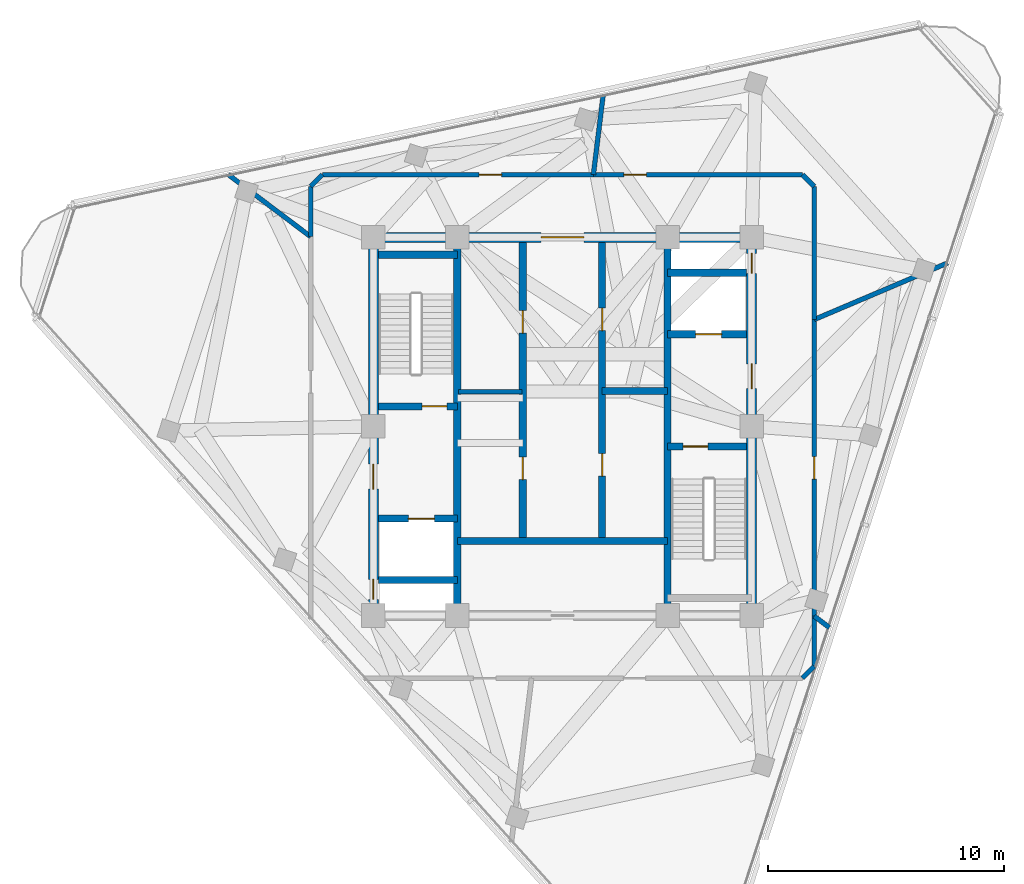
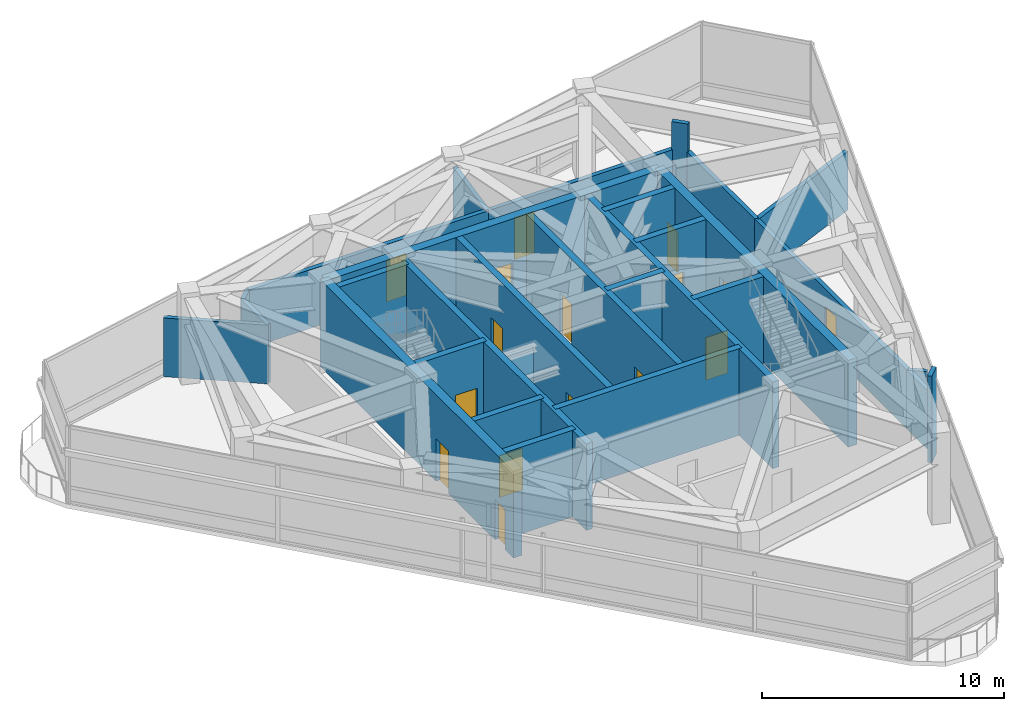
# One storey, part 7 of 10: 30 walls, 16 doors, 16 openings.
"""IFC4 building model written with IfcOpenShell, lengths in metres."""

from ifc_helpers import new_model, si_unit, direction, frame, frame_2d, origin, place, context, subcontext, project, spatial, rectangle, extrude, material, layer, layer_set, type_object, element, fill, save


model = new_model("IFC4")

# Units and contexts
model_context = context("Model", 3, precision=1e-05, world=origin(), true_north=direction((0.0, 1.0)))
body_context = subcontext(model_context, "Body", "Model", "MODEL_VIEW")
ifc_project = project(units=[si_unit("LENGTHUNIT", "METRE"), si_unit("AREAUNIT", "SQUARE_METRE"), si_unit("VOLUMEUNIT", "CUBIC_METRE"), si_unit("PLANEANGLEUNIT", "RADIAN"), si_unit("MASSUNIT", "GRAM", prefix="KILO")], contexts=[model_context])

# Site, building, storey
site_placement = place(None, origin())
site = spatial("IfcSite", under=ifc_project, at=site_placement, CompositionType="ELEMENT")
building_placement = place(site_placement, origin())
building = spatial("IfcBuilding", under=site, at=building_placement, Name="Terralouvre Media Tower", CompositionType="ELEMENT")
storey_placement = place(building_placement, frame((0.0, 0.0, 317.39990234375)))
storey = spatial("IfcBuildingStorey", under=building, at=storey_placement, Name="L82", CompositionType="ELEMENT", Elevation=317.39990234375)

# Walls
ifc_material_1 = material(Name="Concrete C50/60", Category="concrete")
ifc_layer_1 = layer(ifc_material_1, 0.300048828125, Name="Core Internal Shaft Wall CW-300")
ifc_layer_set_1 = layer_set([ifc_layer_1], Name="Concrete C50/60")
wall_type_1 = type_object("IfcWallType", Name="Core Internal Shaft Wall CW-300", PredefinedType="SHEAR", material=ifc_layer_set_1)
for number, where, z_axis, x_axis, name in (
    (1, (-4.449951171875, -7.7900390625, 0.0), (0.0, 0.0, 1.0), (0.0, 1.0, 0.0), "L82 Core Shaft Wall SPW"),
    (2, (4.449951171875, -7.7900390625, 0.0), (0.0, 0.0, 1.0), (0.0, 1.0, 0.0), "L82 Core Shaft Wall SPE"),
):
    element("IfcWall", number, at=place(storey_placement, frame(where, z_axis=z_axis, x_axis=x_axis)), inside=storey, type_object=wall_type_1, Name=name, PredefinedType="SHEAR", context=body_context, shape_type="SweptSolid", body=[
        extrude(rectangle(XDim=15.580078125, YDim=0.300048828125, at=frame_2d((7.7900390625, 0.0))), origin(), (0.0, 0.0, 1.0), 4.380126953125),
    ])

# Wall, opening, door
wall_1_placement = place(storey_placement, frame((-7.7900390625, 0.85009765625, 0.0), z_axis=(0.0, 0.0, 1.0), x_axis=(1.0, 0.0, 0.0)))
wall_1 = element("IfcWall", 3, at=wall_1_placement, inside=storey, type_object=wall_type_1, Name="L82 Core Shaft Wall ST1D", PredefinedType="SHEAR", context=body_context, shape_type="SweptSolid", body=[
    extrude(rectangle(XDim=3.340087890625, YDim=0.300048828125, at=frame_2d((1.669921875, 0.0))), origin(), (0.0, 0.0, 1.0), 4.380126953125),
])
opening_1_placement = place(wall_1_placement, frame((1.85009765625, 0.0, 0.0)))
opening_1 = element("IfcOpeningElement", 4, at=opening_1_placement, cuts=wall_1, Name="Opening FD-01-105X215", PredefinedType="OPENING", context=body_context, shape_type="SweptSolid", body=[
    extrude(rectangle(XDim=1.050048828125, YDim=2.14990234375, at=frame_2d((0.52490234375, 1.074951171875))), frame((0.0, 0.159912109375, 0.0), z_axis=(0.0, -1.0, 0.0), x_axis=(1.0, 0.0, 0.0)), (0.0, 0.0, 1.0), 0.320068359375),
])
ifc_material_2 = material(Name="Galvanised steel fire-resisting leaf", Category="steel")
door_type_1 = type_object("IfcDoorType", Name="Stair and Firefighting Lobby Fire Door FD-01 (1050x2150)", OperationType="NOTDEFINED", PredefinedType="DOOR", material=ifc_material_2)
door_1_placement = place(opening_1_placement, origin())
door_1 = element("IfcDoor", 5, at=door_1_placement, inside=storey, type_object=door_type_1, Name="L82 ST-01 Exit Stair Door", OperationType="SINGLE_SWING_LEFT", OverallHeight=2.14990234375, OverallWidth=1.050048828125, PredefinedType="DOOR", context=body_context, shape_type="SweptSolid", body=[
    extrude(rectangle(XDim=1.050048828125, YDim=2.14990234375, at=frame_2d((0.52490234375, 1.074951171875))), frame((0.0, 0.02490234375, 0.0), z_axis=(0.0, -1.0, 0.0), x_axis=(1.0, 0.0, 0.0)), (0.0, 0.0, 1.0), 0.050048828125),
])
fill(opening_1, door_1)

# Wall
wall_2_placement = place(storey_placement, frame((-7.7900390625, 7.260009765625, 0.0), z_axis=(0.0, 0.0, 1.0), x_axis=(1.0, 0.0, 0.0)))
element("IfcWall", 6, at=wall_2_placement, inside=storey, type_object=wall_type_1, Name="L82 Core Shaft Wall ST1F", PredefinedType="SHEAR", context=body_context, shape_type="SweptSolid", body=[
    extrude(rectangle(XDim=3.340087890625, YDim=0.300048828125, at=frame_2d((1.669921875, 0.0))), origin(), (0.0, 0.0, 1.0), 4.380126953125),
])

# Wall, opening, door
wall_3_placement = place(storey_placement, frame((4.449951171875, -0.85009765625, 0.0), z_axis=(0.0, 0.0, 1.0), x_axis=(1.0, 0.0, 0.0)))
wall_3 = element("IfcWall", 7, at=wall_3_placement, inside=storey, type_object=wall_type_1, Name="L82 Core Shaft Wall ST2D", PredefinedType="SHEAR", context=body_context, shape_type="SweptSolid", body=[
    extrude(rectangle(XDim=3.340087890625, YDim=0.300048828125, at=frame_2d((1.669921875, 0.0))), origin(), (0.0, 0.0, 1.0), 4.380126953125),
])
opening_2_placement = place(wall_3_placement, frame((0.64990234375, 0.0, 0.0)))
opening_2 = element("IfcOpeningElement", 8, at=opening_2_placement, cuts=wall_3, Name="Opening FD-01-105X215", PredefinedType="OPENING", context=body_context, shape_type="SweptSolid", body=[
    extrude(rectangle(XDim=1.050048828125, YDim=2.14990234375, at=frame_2d((0.52490234375, 1.074951171875))), frame((0.0, 0.159912109375, 0.0), z_axis=(0.0, -1.0, 0.0), x_axis=(1.0, 0.0, 0.0)), (0.0, 0.0, 1.0), 0.320068359375),
])
door_2_placement = place(opening_2_placement, origin())
door_2 = element("IfcDoor", 9, at=door_2_placement, inside=storey, type_object=door_type_1, Name="L82 ST-02 Exit Stair Door", OperationType="SINGLE_SWING_RIGHT", OverallHeight=2.14990234375, OverallWidth=1.050048828125, PredefinedType="DOOR", context=body_context, shape_type="SweptSolid", body=[
    extrude(rectangle(XDim=1.050048828125, YDim=2.14990234375, at=frame_2d((0.52490234375, 1.074951171875))), frame((0.0, 0.02490234375, 0.0), z_axis=(0.0, -1.0, 0.0), x_axis=(1.0, 0.0, 0.0)), (0.0, 0.0, 1.0), 0.050048828125),
])
fill(opening_2, door_2)

wall_4_placement = place(storey_placement, frame((-7.7900390625, -3.89990234375, 0.0), z_axis=(0.0, 0.0, 1.0), x_axis=(1.0, 0.0, 0.0)))
wall_4 = element("IfcWall", 10, at=wall_4_placement, inside=storey, type_object=wall_type_1, Name="L82 Core Shaft Wall FF1N", PredefinedType="SHEAR", context=body_context, shape_type="SweptSolid", body=[
    extrude(rectangle(XDim=3.340087890625, YDim=0.300048828125, at=frame_2d((1.669921875, 0.0))), origin(), (0.0, 0.0, 1.0), 4.380126953125),
])
opening_3_placement = place(wall_4_placement, frame((1.27001953125, 0.0, 0.0)))
opening_3 = element("IfcOpeningElement", 11, at=opening_3_placement, cuts=wall_4, Name="Opening LD-FF", PredefinedType="OPENING", context=body_context, shape_type="SweptSolid", body=[
    extrude(rectangle(XDim=1.10009765625, YDim=2.10009765625, at=frame_2d((0.550048828125, 1.050048828125))), frame((0.0, 0.159912109375, 0.0), z_axis=(0.0, -1.0, 0.0), x_axis=(1.0, 0.0, 0.0)), (0.0, 0.0, 1.0), 0.320068359375),
])
ifc_material_3 = material(Name="Stainless steel 316 handrail and balustrade", Category="steel")
door_type_2 = type_object("IfcDoorType", Name="Firefighting Lift Sliding Landing Door LD-FF", OperationType="SLIDING_TO_LEFT", PredefinedType="DOOR", material=ifc_material_3)
door_3_placement = place(opening_3_placement, origin())
door_3 = element("IfcDoor", 12, at=door_3_placement, inside=storey, type_object=door_type_2, Name="L82 Firefighting Lift FFL-01 Landing Door", OperationType="SLIDING_TO_LEFT", OverallHeight=2.10009765625, OverallWidth=1.10009765625, PredefinedType="DOOR", context=body_context, shape_type="SweptSolid", body=[
    extrude(rectangle(XDim=1.10009765625, YDim=2.10009765625, at=frame_2d((0.550048828125, 1.050048828125))), frame((0.0, 0.02490234375, 0.0), z_axis=(0.0, -1.0, 0.0), x_axis=(1.0, 0.0, 0.0)), (0.0, 0.0, 1.0), 0.050048828125),
])
fill(opening_3, door_3)

# Wall
wall_5_placement = place(storey_placement, frame((-7.7900390625, -6.5, 0.0), z_axis=(0.0, 0.0, 1.0), x_axis=(1.0, 0.0, 0.0)))
element("IfcWall", 13, at=wall_5_placement, inside=storey, type_object=wall_type_1, Name="L82 Core Shaft Wall FF1S", PredefinedType="SHEAR", context=body_context, shape_type="SweptSolid", body=[
    extrude(rectangle(XDim=3.340087890625, YDim=0.300048828125, at=frame_2d((1.669921875, 0.0))), origin(), (0.0, 0.0, 1.0), 4.380126953125),
])

# Wall, opening, door
wall_6_placement = place(storey_placement, frame((4.449951171875, 3.89990234375, 0.0), z_axis=(0.0, 0.0, 1.0), x_axis=(1.0, 0.0, 0.0)))
wall_6 = element("IfcWall", 14, at=wall_6_placement, inside=storey, type_object=wall_type_1, Name="L82 Core Shaft Wall FF2S", PredefinedType="SHEAR", context=body_context, shape_type="SweptSolid", body=[
    extrude(rectangle(XDim=3.340087890625, YDim=0.300048828125, at=frame_2d((1.669921875, 0.0))), origin(), (0.0, 0.0, 1.0), 4.380126953125),
])
opening_4_placement = place(wall_6_placement, frame((1.179931640625, 0.0, 0.0)))
opening_4 = element("IfcOpeningElement", 15, at=opening_4_placement, cuts=wall_6, Name="Opening LD-FF", PredefinedType="OPENING", context=body_context, shape_type="SweptSolid", body=[
    extrude(rectangle(XDim=1.10009765625, YDim=2.10009765625, at=frame_2d((0.550048828125, 1.050048828125))), frame((0.0, 0.159912109375, 0.0), z_axis=(0.0, -1.0, 0.0), x_axis=(1.0, 0.0, 0.0)), (0.0, 0.0, 1.0), 0.320068359375),
])
door_4_placement = place(opening_4_placement, origin())
door_4 = element("IfcDoor", 16, at=door_4_placement, inside=storey, type_object=door_type_2, Name="L82 Firefighting Lift FFL-02 Landing Door", OperationType="SLIDING_TO_LEFT", OverallHeight=2.10009765625, OverallWidth=1.10009765625, PredefinedType="DOOR", context=body_context, shape_type="SweptSolid", body=[
    extrude(rectangle(XDim=1.10009765625, YDim=2.10009765625, at=frame_2d((0.550048828125, 1.050048828125))), frame((0.0, 0.02490234375, 0.0), z_axis=(0.0, -1.0, 0.0), x_axis=(1.0, 0.0, 0.0)), (0.0, 0.0, 1.0), 0.050048828125),
])
fill(opening_4, door_4)

# Walls
wall_7_placement = place(storey_placement, frame((4.449951171875, 6.5, 0.0), z_axis=(0.0, 0.0, 1.0), x_axis=(1.0, 0.0, 0.0)))
element("IfcWall", 17, at=wall_7_placement, inside=storey, type_object=wall_type_1, Name="L82 Core Shaft Wall FF2N", PredefinedType="SHEAR", context=body_context, shape_type="SweptSolid", body=[
    extrude(rectangle(XDim=3.340087890625, YDim=0.300048828125, at=frame_2d((1.669921875, 0.0))), origin(), (0.0, 0.0, 1.0), 4.380126953125),
])
wall_8_placement = place(storey_placement, frame((-4.449951171875, -4.85009765625, 0.0), z_axis=(0.0, 0.0, 1.0), x_axis=(1.0, 0.0, 0.0)))
element("IfcWall", 18, at=wall_8_placement, inside=storey, type_object=wall_type_1, Name="L82 Core Shaft Wall CSBN", PredefinedType="SHEAR", context=body_context, shape_type="SweptSolid", body=[
    extrude(rectangle(XDim=8.89990234375, YDim=0.300048828125, at=frame_2d((4.449951171875, 0.0))), origin(), (0.0, 0.0, 1.0), 4.380126953125),
])

# Wall, openings, doors
wall_9_placement = place(storey_placement, frame((-1.679931640625, -4.85009765625, 0.0), z_axis=(0.0, 0.0, 1.0), x_axis=(0.0, 1.0, 0.0)))
wall_9 = element("IfcWall", 19, at=wall_9_placement, inside=storey, type_object=wall_type_1, Name="L82 Core Shaft Wall LBW", PredefinedType="SHEAR", context=body_context, shape_type="SweptSolid", body=[
    extrude(rectangle(XDim=12.64013671875, YDim=0.300048828125, at=frame_2d((6.320068359375, 0.0))), origin(), (0.0, 0.0, 1.0), 4.380126953125),
])
opening_5_placement = place(wall_9_placement, frame((2.60009765625, 0.0, 0.0)))
opening_5 = element("IfcOpeningElement", 20, at=opening_5_placement, cuts=wall_9, Name="Opening FD-02-95X210", PredefinedType="OPENING", context=body_context, shape_type="SweptSolid", body=[
    extrude(rectangle(XDim=0.949951171875, YDim=2.10009765625, at=frame_2d((0.47509765625, 1.050048828125))), frame((0.0, 0.159912109375, 0.0), z_axis=(0.0, -1.0, 0.0), x_axis=(1.0, 0.0, 0.0)), (0.0, 0.0, 1.0), 0.320068359375),
])
opening_6_placement = place(wall_9_placement, frame((8.800048828125, 0.0, 0.0)))
opening_6 = element("IfcOpeningElement", 21, at=opening_6_placement, cuts=wall_9, Name="Opening FD-04-95X210", PredefinedType="OPENING", context=body_context, shape_type="SweptSolid", body=[
    extrude(rectangle(XDim=0.949951171875, YDim=2.10009765625, at=frame_2d((0.47509765625, 1.050048828125))), frame((0.0, 0.159912109375, 0.0), z_axis=(0.0, -1.0, 0.0), x_axis=(1.0, 0.0, 0.0)), (0.0, 0.0, 1.0), 0.320068359375),
])
ifc_material_4 = material(Name="Galvanised steel fire-resisting leaf", Category="steel")
door_type_3 = type_object("IfcDoorType", Name="Core Store and Service Fire Door FD-04 (950x2100)", OperationType="NOTDEFINED", PredefinedType="DOOR", material=ifc_material_4)
door_5_placement = place(opening_6_placement, origin())
door_5 = element("IfcDoor", 22, at=door_5_placement, inside=storey, type_object=door_type_3, Name="L82 Core Linen Store Door", OperationType="SINGLE_SWING_RIGHT", OverallHeight=2.10009765625, OverallWidth=0.949951171875, PredefinedType="DOOR", context=body_context, shape_type="SweptSolid", body=[
    extrude(rectangle(XDim=0.949951171875, YDim=2.10009765625, at=frame_2d((0.47509765625, 1.050048828125))), frame((0.0, 0.02490234375, 0.0), z_axis=(0.0, -1.0, 0.0), x_axis=(1.0, 0.0, 0.0)), (0.0, 0.0, 1.0), 0.050048828125),
])
fill(opening_6, door_5)
ifc_material_5 = material(Name="Galvanised steel fire-resisting leaf", Category="steel")
door_type_4 = type_object("IfcDoorType", Name="Plant and Riser Fire Door FD-02 (950x2100)", OperationType="NOTDEFINED", PredefinedType="DOOR", material=ifc_material_5)
door_6_placement = place(opening_5_placement, origin())
door_6 = element("IfcDoor", 23, at=door_6_placement, inside=storey, type_object=door_type_4, Name="L82 Core Fibre Patch Plant Door", OperationType="SINGLE_SWING_LEFT", OverallHeight=2.10009765625, OverallWidth=0.949951171875, PredefinedType="DOOR", context=body_context, shape_type="SweptSolid", body=[
    extrude(rectangle(XDim=0.949951171875, YDim=2.10009765625, at=frame_2d((0.47509765625, 1.050048828125))), frame((0.0, 0.02490234375, 0.0), z_axis=(0.0, -1.0, 0.0), x_axis=(1.0, 0.0, 0.0)), (0.0, 0.0, 1.0), 0.050048828125),
])
fill(opening_5, door_6)

wall_10_placement = place(storey_placement, frame((1.679931640625, -4.85009765625, 0.0), z_axis=(0.0, 0.0, 1.0), x_axis=(0.0, 1.0, 0.0)))
wall_10 = element("IfcWall", 24, at=wall_10_placement, inside=storey, type_object=wall_type_1, Name="L82 Core Shaft Wall LBE", PredefinedType="SHEAR", context=body_context, shape_type="SweptSolid", body=[
    extrude(rectangle(XDim=12.64013671875, YDim=0.300048828125, at=frame_2d((6.320068359375, 0.0))), origin(), (0.0, 0.0, 1.0), 4.380126953125),
])
opening_7_placement = place(wall_10_placement, frame((2.75, 0.0, 0.0)))
opening_7 = element("IfcOpeningElement", 25, at=opening_7_placement, cuts=wall_10, Name="Opening FD-02-95X210", PredefinedType="OPENING", context=body_context, shape_type="SweptSolid", body=[
    extrude(rectangle(XDim=0.949951171875, YDim=2.10009765625, at=frame_2d((0.47509765625, 1.050048828125))), frame((0.0, 0.159912109375, 0.0), z_axis=(0.0, -1.0, 0.0), x_axis=(1.0, 0.0, 0.0)), (0.0, 0.0, 1.0), 0.320068359375),
])
opening_8_placement = place(wall_10_placement, frame((8.89990234375, 0.0, 0.0)))
opening_8 = element("IfcOpeningElement", 26, at=opening_8_placement, cuts=wall_10, Name="Opening FD-02-95X210", PredefinedType="OPENING", context=body_context, shape_type="SweptSolid", body=[
    extrude(rectangle(XDim=0.949951171875, YDim=2.10009765625, at=frame_2d((0.47509765625, 1.050048828125))), frame((0.0, 0.159912109375, 0.0), z_axis=(0.0, -1.0, 0.0), x_axis=(1.0, 0.0, 0.0)), (0.0, 0.0, 1.0), 0.320068359375),
])
door_7_placement = place(opening_7_placement, origin())
door_7 = element("IfcDoor", 27, at=door_7_placement, inside=storey, type_object=door_type_4, Name="L82 High-Zone Hoistway Motor Plant Door", OperationType="SINGLE_SWING_LEFT", OverallHeight=2.10009765625, OverallWidth=0.949951171875, PredefinedType="DOOR", context=body_context, shape_type="SweptSolid", body=[
    extrude(rectangle(XDim=0.949951171875, YDim=2.10009765625, at=frame_2d((0.47509765625, 1.050048828125))), frame((0.0, 0.02490234375, 0.0), z_axis=(0.0, -1.0, 0.0), x_axis=(1.0, 0.0, 0.0)), (0.0, 0.0, 1.0), 0.050048828125),
])
fill(opening_7, door_7)
door_8_placement = place(opening_8_placement, origin())
door_8 = element("IfcDoor", 28, at=door_8_placement, inside=storey, type_object=door_type_4, Name="L82 Core AHU Sub-Plant Door", OperationType="SINGLE_SWING_LEFT", OverallHeight=2.10009765625, OverallWidth=0.949951171875, PredefinedType="DOOR", context=body_context, shape_type="SweptSolid", body=[
    extrude(rectangle(XDim=0.949951171875, YDim=2.10009765625, at=frame_2d((0.47509765625, 1.050048828125))), frame((0.0, 0.02490234375, 0.0), z_axis=(0.0, -1.0, 0.0), x_axis=(1.0, 0.0, 0.0)), (0.0, 0.0, 1.0), 0.050048828125),
])
fill(opening_8, door_8)

# Wall
wall_11_placement = place(storey_placement, frame((1.679931640625, 1.5, 0.0), z_axis=(0.0, 0.0, 1.0), x_axis=(1.0, 0.0, 0.0)))
element("IfcWall", 29, at=wall_11_placement, inside=storey, type_object=wall_type_1, Name="L82 Core Shaft Wall PLMBOT", PredefinedType="SHEAR", context=body_context, shape_type="SweptSolid", body=[
    extrude(rectangle(XDim=2.77001953125, YDim=0.300048828125, at=frame_2d((1.385009765625, 0.0))), origin(), (0.0, 0.0, 1.0), 4.380126953125),
])

# Wall, openings, doors
ifc_material_6 = material(Name="Concrete C60/75", Category="concrete")
ifc_layer_2 = layer(ifc_material_6, 0.419921875, Name="Core Reinforced Concrete Shear Wall CW-420")
ifc_layer_set_2 = layer_set([ifc_layer_2], Name="Concrete C60/75")
wall_type_2 = type_object("IfcWallType", Name="Core Reinforced Concrete Shear Wall CW-420", PredefinedType="SHEAR", material=ifc_layer_set_2)
wall_12_placement = place(storey_placement, frame((-8.0, -8.0, 0.0), z_axis=(0.0, 0.0, 1.0), x_axis=(0.0, 1.0, 0.0)))
wall_12 = element("IfcWall", 30, at=wall_12_placement, inside=storey, type_object=wall_type_2, Name="L82 W Core Shear Wall", PredefinedType="SHEAR", context=body_context, shape_type="SweptSolid", body=[
    extrude(rectangle(XDim=16.0, YDim=0.419921875, at=frame_2d((8.0, 0.0))), origin(), (0.0, 0.0, 1.0), 4.380126953125),
])
opening_9_placement = place(wall_12_placement, frame((0.68115234375, 0.0, 0.0)))
opening_9 = element("IfcOpeningElement", 31, at=opening_9_placement, cuts=wall_12, Name="Opening TD-R1", PredefinedType="OPENING", context=body_context, shape_type="SweptSolid", body=[
    extrude(rectangle(XDim=0.85009765625, YDim=2.02001953125, at=frame_2d((0.425048828125, 1.010009765625))), frame((0.0, 0.219970703125, 0.0), z_axis=(0.0, -1.0, 0.0), x_axis=(1.0, 0.0, 0.0)), (0.0, 0.0, 1.0), 0.43994140625),
])
opening_10_placement = place(wall_12_placement, frame((5.35009765625, 0.0, 0.0)))
opening_10 = element("IfcOpeningElement", 32, at=opening_10_placement, cuts=wall_12, Name="Opening FD-01-105X215", PredefinedType="OPENING", context=body_context, shape_type="SweptSolid", body=[
    extrude(rectangle(XDim=1.050048828125, YDim=2.14990234375, at=frame_2d((0.52490234375, 1.074951171875))), frame((0.0, 0.219970703125, 0.0), z_axis=(0.0, -1.0, 0.0), x_axis=(1.0, 0.0, 0.0)), (0.0, 0.0, 1.0), 0.43994140625),
])
ifc_material_7 = material(Name="Galvanised steel fire-resisting leaf", Category="steel")
door_type_5 = type_object("IfcDoorType", Name="Riser Inspection Access Trapdoor TD-R1", OperationType="NOTDEFINED", PredefinedType="TRAPDOOR", material=ifc_material_7)
door_9_placement = place(opening_9_placement, origin())
door_9 = element("IfcDoor", 33, at=door_9_placement, inside=storey, type_object=door_type_5, Name="L82 Wet Riser Access Trapdoor", OperationType="SINGLE_SWING_LEFT", OverallHeight=2.02001953125, OverallWidth=0.85009765625, PredefinedType="TRAPDOOR", context=body_context, shape_type="SweptSolid", body=[
    extrude(rectangle(XDim=0.85009765625, YDim=2.02001953125, at=frame_2d((0.425048828125, 1.010009765625))), frame((0.0, 0.02490234375, 0.0), z_axis=(0.0, -1.0, 0.0), x_axis=(1.0, 0.0, 0.0)), (0.0, 0.0, 1.0), 0.050048828125),
])
fill(opening_9, door_9)
door_10_placement = place(opening_10_placement, origin())
door_10 = element("IfcDoor", 34, at=door_10_placement, inside=storey, type_object=door_type_1, Name="L82 West Firefighting Lobby Entry Door", OperationType="SINGLE_SWING_RIGHT", OverallHeight=2.14990234375, OverallWidth=1.050048828125, PredefinedType="DOOR", context=body_context, shape_type="SweptSolid", body=[
    extrude(rectangle(XDim=1.050048828125, YDim=2.14990234375, at=frame_2d((0.52490234375, 1.074951171875))), frame((0.0, 0.02490234375, 0.0), z_axis=(0.0, -1.0, 0.0), x_axis=(1.0, 0.0, 0.0)), (0.0, 0.0, 1.0), 0.050048828125),
])
fill(opening_10, door_10)

wall_13_placement = place(storey_placement, frame((8.0, -8.0, 0.0), z_axis=(0.0, 0.0, 1.0), x_axis=(0.0, 1.0, 0.0)))
wall_13 = element("IfcWall", 35, at=wall_13_placement, inside=storey, type_object=wall_type_2, Name="L82 E Core Shear Wall", PredefinedType="SHEAR", context=body_context, shape_type="SweptSolid", body=[
    extrude(rectangle(XDim=16.0, YDim=0.419921875, at=frame_2d((8.0, 0.0))), origin(), (0.0, 0.0, 1.0), 4.380126953125),
])
opening_11_placement = place(wall_13_placement, frame((9.60009765625, 0.0, 0.0)))
opening_11 = element("IfcOpeningElement", 36, at=opening_11_placement, cuts=wall_13, Name="Opening FD-01-105X215", PredefinedType="OPENING", context=body_context, shape_type="SweptSolid", body=[
    extrude(rectangle(XDim=1.050048828125, YDim=2.14990234375, at=frame_2d((0.52490234375, 1.074951171875))), frame((0.0, 0.219970703125, 0.0), z_axis=(0.0, -1.0, 0.0), x_axis=(1.0, 0.0, 0.0)), (0.0, 0.0, 1.0), 0.43994140625),
])
opening_12_placement = place(wall_13_placement, frame((14.468994140625, 0.0, 0.0)))
opening_12 = element("IfcOpeningElement", 37, at=opening_12_placement, cuts=wall_13, Name="Opening TD-R1", PredefinedType="OPENING", context=body_context, shape_type="SweptSolid", body=[
    extrude(rectangle(XDim=0.85009765625, YDim=2.02001953125, at=frame_2d((0.425048828125, 1.010009765625))), frame((0.0, 0.219970703125, 0.0), z_axis=(0.0, -1.0, 0.0), x_axis=(1.0, 0.0, 0.0)), (0.0, 0.0, 1.0), 0.43994140625),
])
door_11_placement = place(opening_12_placement, origin())
door_11 = element("IfcDoor", 38, at=door_11_placement, inside=storey, type_object=door_type_5, Name="L82 East Comms Riser Access Trapdoor", OperationType="SINGLE_SWING_RIGHT", OverallHeight=2.02001953125, OverallWidth=0.85009765625, PredefinedType="TRAPDOOR", context=body_context, shape_type="SweptSolid", body=[
    extrude(rectangle(XDim=0.85009765625, YDim=2.02001953125, at=frame_2d((0.425048828125, 1.010009765625))), frame((0.0, 0.02490234375, 0.0), z_axis=(0.0, -1.0, 0.0), x_axis=(1.0, 0.0, 0.0)), (0.0, 0.0, 1.0), 0.050048828125),
])
fill(opening_12, door_11)
door_12_placement = place(opening_11_placement, origin())
door_12 = element("IfcDoor", 39, at=door_12_placement, inside=storey, type_object=door_type_1, Name="L82 East Firefighting Lobby Entry Door", OperationType="SINGLE_SWING_LEFT", OverallHeight=2.14990234375, OverallWidth=1.050048828125, PredefinedType="DOOR", context=body_context, shape_type="SweptSolid", body=[
    extrude(rectangle(XDim=1.050048828125, YDim=2.14990234375, at=frame_2d((0.52490234375, 1.074951171875))), frame((0.0, 0.02490234375, 0.0), z_axis=(0.0, -1.0, 0.0), x_axis=(1.0, 0.0, 0.0)), (0.0, 0.0, 1.0), 0.050048828125),
])
fill(opening_11, door_12)

# Wall, opening, door
wall_14_placement = place(storey_placement, frame((-8.0, 8.0, 0.0), z_axis=(0.0, 0.0, 1.0), x_axis=(1.0, 0.0, 0.0)))
wall_14 = element("IfcWall", 40, at=wall_14_placement, inside=storey, type_object=wall_type_2, Name="L82 N Core Shear Wall", PredefinedType="SHEAR", context=body_context, shape_type="SweptSolid", body=[
    extrude(rectangle(XDim=16.0, YDim=0.419921875, at=frame_2d((8.0, 0.0))), origin(), (0.0, 0.0, 1.0), 4.380126953125),
])
opening_13_placement = place(wall_14_placement, frame((7.10009765625, 0.0, 0.0)))
opening_13 = element("IfcOpeningElement", 41, at=opening_13_placement, cuts=wall_14, Name="Opening FD-03", PredefinedType="OPENING", context=body_context, shape_type="SweptSolid", body=[
    extrude(rectangle(XDim=1.800048828125, YDim=2.14990234375, at=frame_2d((0.89990234375, 1.074951171875))), frame((0.0, 0.219970703125, 0.0), z_axis=(0.0, -1.0, 0.0), x_axis=(1.0, 0.0, 0.0)), (0.0, 0.0, 1.0), 0.43994140625),
])
ifc_material_8 = material(Name="Galvanised steel fire-resisting leaf", Category="steel")
door_type_6 = type_object("IfcDoorType", Name="Corridor Smoke-Control Double Door FD-03", OperationType="DOUBLE_DOOR_SINGLE_SWING", PredefinedType="DOOR", material=ifc_material_8)
door_13_placement = place(opening_13_placement, origin())
door_13 = element("IfcDoor", 42, at=door_13_placement, inside=storey, type_object=door_type_6, Name="L82 Central Lift Lobby Portal Door", OperationType="DOUBLE_DOOR_SINGLE_SWING", OverallHeight=2.14990234375, OverallWidth=1.800048828125, PredefinedType="DOOR", context=body_context, shape_type="SweptSolid", body=[
    extrude(rectangle(XDim=1.800048828125, YDim=2.14990234375, at=frame_2d((0.89990234375, 1.074951171875))), frame((0.0, 0.02490234375, 0.0), z_axis=(0.0, -1.0, 0.0), x_axis=(1.0, 0.0, 0.0)), (0.0, 0.0, 1.0), 0.050048828125),
])
fill(opening_13, door_13)

# Walls
ifc_material_9 = material(Name="Fire-rated gypsum board drywall partition")
ifc_layer_3 = layer(ifc_material_9, 0.199951171875, Name="Fire-Rated Shaft and Lobby Partition FW-200")
ifc_layer_set_3 = layer_set([ifc_layer_3], Name="Fire-rated gypsum board drywall partition")
wall_type_3 = type_object("IfcWallType", Name="Fire-Rated Shaft and Lobby Partition FW-200", PredefinedType="SOLIDWALL", material=ifc_layer_set_3)
wall_15_placement = place(storey_placement, frame((-4.39990234375, 1.469970703125, 0.0), z_axis=(0.0, 0.0, 1.0), x_axis=(1.0, 0.0, 0.0)))
element("IfcWall", 43, at=wall_15_placement, inside=storey, type_object=wall_type_3, Name="L82 Core West Sub-Partition 1", PredefinedType="SOLIDWALL", context=body_context, shape_type="SweptSolid", body=[
    extrude(rectangle(XDim=2.679931640625, YDim=0.199951171875, at=frame_2d((1.33984375, 0.0))), origin(), (0.0, 0.0, 1.0), 2.68505859375),
])
wall_16_placement = place(storey_placement, frame((10.14990234375, -10.64990234375, 0.0), z_axis=(0.0, 0.0, 1.0), x_axis=(0.707106781187, 0.707106781187, 0.0)))
element("IfcWall", 44, at=wall_16_placement, inside=storey, type_object=wall_type_3, Name="L82 Interior Partition 003", PredefinedType="SOLIDWALL", context=body_context, shape_type="SweptSolid", body=[
    extrude(rectangle(XDim=0.70703125, YDim=0.199951171875, at=frame_2d((0.353515625, 0.0))), origin(), (0.0, 0.0, 1.0), 4.380126953125),
])
wall_17_placement = place(storey_placement, frame((10.64990234375, -10.14990234375, 0.0), z_axis=(0.0, 0.0, 1.0), x_axis=(0.0, 1.0, 0.0)))
element("IfcWall", 45, at=wall_17_placement, inside=storey, type_object=wall_type_3, Name="L82 Interior Partition 004", PredefinedType="SOLIDWALL", context=body_context, shape_type="SweptSolid", body=[
    extrude(rectangle(XDim=2.125, YDim=0.199951171875, at=frame_2d((1.0625, 0.0))), origin(), (0.0, 0.0, 1.0), 2.965087890625),
])

# Wall, opening, door
wall_18_placement = place(storey_placement, frame((10.64990234375, -8.02490234375, 0.0), z_axis=(0.0, 0.0, 1.0), x_axis=(0.0, 1.0, 0.0)))
wall_18 = element("IfcWall", 46, at=wall_18_placement, inside=storey, type_object=wall_type_3, Name="L82 Interior Partition 005", PredefinedType="SOLIDWALL", context=body_context, shape_type="SweptSolid", body=[
    extrude(rectangle(XDim=12.5458984375, YDim=0.199951171875, at=frame_2d((6.27294921875, 0.0))), origin(), (0.0, 0.0, 1.0), 2.965087890625),
])
opening_14_placement = place(wall_18_placement, frame((5.798095703125, 0.0, 0.0)))
opening_14 = element("IfcOpeningElement", 47, at=opening_14_placement, cuts=wall_18, Name="Opening FD-02-95X210", PredefinedType="OPENING", context=body_context, shape_type="SweptSolid", body=[
    extrude(rectangle(XDim=0.949951171875, YDim=2.10009765625, at=frame_2d((0.47509765625, 1.050048828125))), frame((0.0, 0.10986328125, 0.0), z_axis=(0.0, -1.0, 0.0), x_axis=(1.0, 0.0, 0.0)), (0.0, 0.0, 1.0), 0.219970703125),
])
door_14_placement = place(opening_14_placement, origin())
door_14 = element("IfcDoor", 48, at=door_14_placement, inside=storey, type_object=door_type_4, Name="L82 L82 Domestic Booster and Fire Pump Plant Room Door", OperationType="SINGLE_SWING_RIGHT", OverallHeight=2.10009765625, OverallWidth=0.949951171875, PredefinedType="DOOR", context=body_context, shape_type="SweptSolid", body=[
    extrude(rectangle(XDim=0.949951171875, YDim=2.10009765625, at=frame_2d((0.47509765625, 1.050048828125))), frame((0.0, 0.02490234375, 0.0), z_axis=(0.0, -1.0, 0.0), x_axis=(1.0, 0.0, 0.0)), (0.0, 0.0, 1.0), 0.050048828125),
])
fill(opening_14, door_14)

# Walls
wall_19_placement = place(storey_placement, frame((10.64990234375, 4.52099609375, 0.0), z_axis=(0.0, 0.0, 1.0), x_axis=(0.0, 1.0, 0.0)))
element("IfcWall", 49, at=wall_19_placement, inside=storey, type_object=wall_type_3, Name="L82 Interior Partition 006", PredefinedType="SOLIDWALL", context=body_context, shape_type="SweptSolid", body=[
    extrude(rectangle(XDim=5.62890625, YDim=0.199951171875, at=frame_2d((2.814453125, 0.0))), origin(), (0.0, 0.0, 1.0), 2.965087890625),
])
wall_20_placement = place(storey_placement, frame((10.64990234375, 10.14990234375, 0.0), z_axis=(0.0, 0.0, 1.0), x_axis=(-0.707106781187, 0.707106781187, 0.0)))
element("IfcWall", 50, at=wall_20_placement, inside=storey, type_object=wall_type_3, Name="L82 Interior Partition 007", PredefinedType="SOLIDWALL", context=body_context, shape_type="SweptSolid", body=[
    extrude(rectangle(XDim=0.70703125, YDim=0.199951171875, at=frame_2d((0.353515625, 0.0))), origin(), (0.0, 0.0, 1.0), 4.380126953125),
])

# Wall, opening, door
wall_21_placement = place(storey_placement, frame((10.14990234375, 10.64990234375, 0.0), z_axis=(0.0, 0.0, 1.0), x_axis=(-1.0, 0.0, 0.0)))
wall_21 = element("IfcWall", 51, at=wall_21_placement, inside=storey, type_object=wall_type_3, Name="L82 Interior Partition 008", PredefinedType="SOLIDWALL", context=body_context, shape_type="SweptSolid", body=[
    extrude(rectangle(XDim=8.841796875, YDim=0.199951171875, at=frame_2d((4.4208984375, 0.0))), origin(), (0.0, 0.0, 1.0), 2.965087890625),
])
opening_15_placement = place(wall_21_placement, frame((6.5986328125, 0.0, 0.0)))
opening_15 = element("IfcOpeningElement", 52, at=opening_15_placement, cuts=wall_21, Name="Opening FD-02-95X210", PredefinedType="OPENING", context=body_context, shape_type="SweptSolid", body=[
    extrude(rectangle(XDim=0.949951171875, YDim=2.10009765625, at=frame_2d((0.47509765625, 1.050048828125))), frame((0.0, 0.10986328125, 0.0), z_axis=(0.0, -1.0, 0.0), x_axis=(1.0, 0.0, 0.0)), (0.0, 0.0, 1.0), 0.219970703125),
])
door_15_placement = place(opening_15_placement, origin())
door_15 = element("IfcDoor", 53, at=door_15_placement, inside=storey, type_object=door_type_4, Name="L82 L82 Emergency Standby Switchgear Plant Room Door", OperationType="SINGLE_SWING_LEFT", OverallHeight=2.10009765625, OverallWidth=0.949951171875, PredefinedType="DOOR", context=body_context, shape_type="SweptSolid", body=[
    extrude(rectangle(XDim=0.949951171875, YDim=2.10009765625, at=frame_2d((0.47509765625, 1.050048828125))), frame((0.0, 0.02490234375, 0.0), z_axis=(0.0, -1.0, 0.0), x_axis=(1.0, 0.0, 0.0)), (0.0, 0.0, 1.0), 0.050048828125),
])
fill(opening_15, door_15)

wall_22_placement = place(storey_placement, frame((1.30810546875, 10.64990234375, 0.0), z_axis=(0.0, 0.0, 1.0), x_axis=(-1.0, 0.0, 0.0)))
wall_22 = element("IfcWall", 54, at=wall_22_placement, inside=storey, type_object=wall_type_3, Name="L82 Interior Partition 009", PredefinedType="SOLIDWALL", context=body_context, shape_type="SweptSolid", body=[
    extrude(rectangle(XDim=11.4580078125, YDim=0.199951171875, at=frame_2d((5.72900390625, 0.0))), origin(), (0.0, 0.0, 1.0), 2.965087890625),
])
opening_16_placement = place(wall_22_placement, frame((3.87890625, 0.0, 0.0)))
opening_16 = element("IfcOpeningElement", 55, at=opening_16_placement, cuts=wall_22, Name="Opening FD-02-95X210", PredefinedType="OPENING", context=body_context, shape_type="SweptSolid", body=[
    extrude(rectangle(XDim=0.949951171875, YDim=2.10009765625, at=frame_2d((0.47509765625, 1.050048828125))), frame((0.0, 0.10986328125, 0.0), z_axis=(0.0, -1.0, 0.0), x_axis=(1.0, 0.0, 0.0)), (0.0, 0.0, 1.0), 0.219970703125),
])
door_16_placement = place(opening_16_placement, origin())
door_16 = element("IfcDoor", 56, at=door_16_placement, inside=storey, type_object=door_type_4, Name="L82 L82 Broadcast Uplink Transmitter Cooling Plant Room Door", OperationType="SINGLE_SWING_RIGHT", OverallHeight=2.10009765625, OverallWidth=0.949951171875, PredefinedType="DOOR", context=body_context, shape_type="SweptSolid", body=[
    extrude(rectangle(XDim=0.949951171875, YDim=2.10009765625, at=frame_2d((0.47509765625, 1.050048828125))), frame((0.0, 0.02490234375, 0.0), z_axis=(0.0, -1.0, 0.0), x_axis=(1.0, 0.0, 0.0)), (0.0, 0.0, 1.0), 0.050048828125),
])
fill(opening_16, door_16)

# Walls
wall_23_placement = place(storey_placement, frame((-10.14990234375, 10.64990234375, 0.0), z_axis=(0.0, 0.0, 1.0), x_axis=(-0.707106781187, -0.707106781187, 0.0)))
element("IfcWall", 57, at=wall_23_placement, inside=storey, type_object=wall_type_3, Name="L82 Interior Partition 010", PredefinedType="SOLIDWALL", context=body_context, shape_type="SweptSolid", body=[
    extrude(rectangle(XDim=0.70703125, YDim=0.199951171875, at=frame_2d((0.353515625, 0.0))), origin(), (0.0, 0.0, 1.0), 2.965087890625),
])
wall_24_placement = place(storey_placement, frame((-10.64990234375, 10.14990234375, 0.0), z_axis=(0.0, 0.0, 1.0), x_axis=(0.0, -1.0, 0.0)))
element("IfcWall", 58, at=wall_24_placement, inside=storey, type_object=wall_type_3, Name="L82 Interior Partition 011", PredefinedType="SOLIDWALL", context=body_context, shape_type="SweptSolid", body=[
    extrude(rectangle(XDim=2.125, YDim=0.199951171875, at=frame_2d((1.0625, 0.0))), origin(), (0.0, 0.0, 1.0), 2.965087890625),
])
wall_25_placement = place(storey_placement, frame((11.2880859375, -8.5068359375, 0.0), z_axis=(0.0, 0.0, 1.0), x_axis=(-0.798017398901, 0.602634409117, 0.0)))
element("IfcWall", 59, at=wall_25_placement, inside=storey, type_object=wall_type_3, Name="L82 Interior Partition 014", PredefinedType="SOLIDWALL", context=body_context, shape_type="SweptSolid", body=[
    extrude(rectangle(XDim=0.7998046875, YDim=0.199951171875, at=frame_2d((0.39990234375, 0.0))), origin(), (0.0, 0.0, 1.0), 2.965087890625),
])
wall_26_placement = place(storey_placement, frame((16.30029296875, 6.9189453125, 0.0), z_axis=(0.0, 0.0, 1.0), x_axis=(-0.920534107883, -0.390662202196, 0.0)))
element("IfcWall", 60, at=wall_26_placement, inside=storey, type_object=wall_type_3, Name="L82 Interior Partition 015", PredefinedType="SOLIDWALL", context=body_context, shape_type="SweptSolid", body=[
    extrude(rectangle(XDim=6.13818359375, YDim=0.199951171875, at=frame_2d((3.069091796875, 0.0))), origin(), (0.0, 0.0, 1.0), 2.965087890625),
])
wall_27_placement = place(storey_placement, frame((1.72216796875, 14.029052734375, 0.0), z_axis=(0.0, 0.0, 1.0), x_axis=(-0.121624820563, -0.992576144698, 0.0)))
element("IfcWall", 61, at=wall_27_placement, inside=storey, type_object=wall_type_3, Name="L82 Interior Partition 016", PredefinedType="SOLIDWALL", context=body_context, shape_type="SweptSolid", body=[
    extrude(rectangle(XDim=3.404541015625, YDim=0.199951171875, at=frame_2d((1.7021484375, 0.0))), origin(), (0.0, 0.0, 1.0), 2.965087890625),
])
wall_28_placement = place(storey_placement, frame((-14.142333984375, 10.656982421875, 0.0), z_axis=(0.0, 0.0, 1.0), x_axis=(0.798597693883, -0.601865203617, 0.0)))
element("IfcWall", 62, at=wall_28_placement, inside=storey, type_object=wall_type_3, Name="L82 Interior Partition 017", PredefinedType="SOLIDWALL", context=body_context, shape_type="SweptSolid", body=[
    extrude(rectangle(XDim=4.373291015625, YDim=0.199951171875, at=frame_2d((2.1865234375, 0.0))), origin(), (0.0, 0.0, 1.0), 2.965087890625),
])

save(model, "model.ifc")
